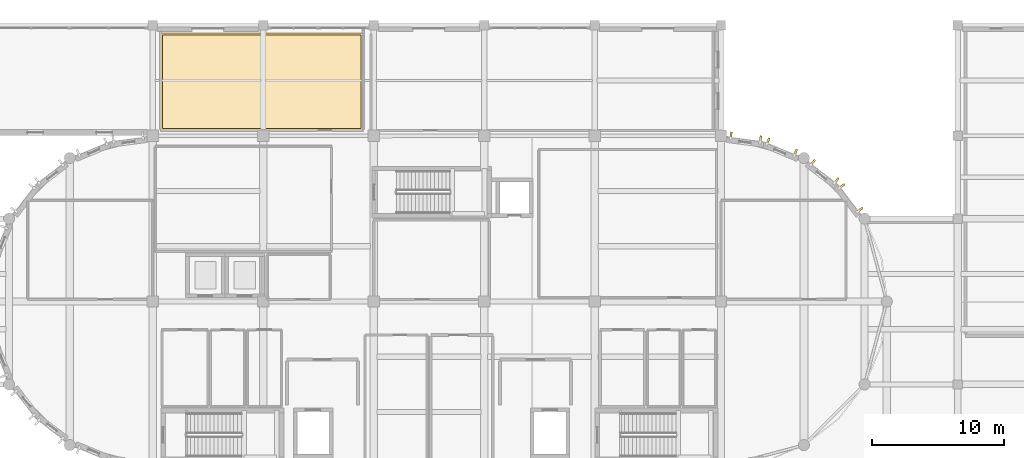
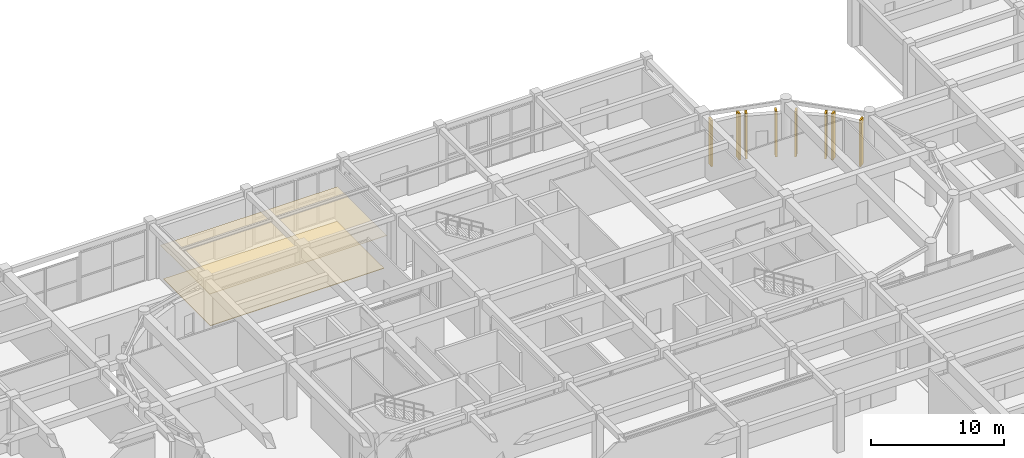
# One storey, part 94 of 98: 10 coverings.
"""IFC4 building model written with IfcOpenShell, lengths in metres."""

import ifcopenshell
import ifcopenshell.guid

model = None  # the IFC model being written
_history = None  # IfcOwnerHistory: only IFC2X3 demands one
_inside = {}  # id of a spatial element -> (the spatial element, [elements in it])
_under = {}  # id of a project, library or spatial element -> (it, [spatial elements below it])
_declared = {}  # id of a project -> (the project, [libraries it declares])
_typed = {}  # id of a type object -> (the type object, [elements of that type])
_made_of = {}  # id of a material, layer set ... -> (it, [elements and type objects made of it])


def new_model(schema):
    """Start an empty IFC model of exactly this schema.

    Asked for "IFC4X3", IfcOpenShell would pick the latest addendum, in which some entities
    have other attributes; the version numbers below select the first issue.
    IFC2X3 requires an IfcOwnerHistory on every rooted entity: one is made here for all.
    """
    global model, _history
    if schema == "IFC4X3":
        model = ifcopenshell.file(schema_version=(4, 3, 0, 0))
    else:
        model = ifcopenshell.file(schema=schema)
    _inside.clear()
    _under.clear()
    _declared.clear()
    _typed.clear()
    _made_of.clear()
    _history = None
    if model.schema == "IFC2X3":
        org = make("IfcOrganization", Name="unknown")
        user = make(
            "IfcPersonAndOrganization",
            ThePerson=make("IfcPerson", FamilyName="unknown"),
            TheOrganization=org,
        )
        app = make(
            "IfcApplication",
            ApplicationDeveloper=org,
            Version="unknown",
            ApplicationFullName="unknown",
            ApplicationIdentifier="unknown",
        )
        _history = make(
            "IfcOwnerHistory",
            OwningUser=user,
            OwningApplication=app,
            ChangeAction="ADDED",
            CreationDate=0,
        )
    return model


def make(cls, **values):
    """One entity of the class cls with the attributes given. An attribute that is None is left unset."""
    return model.create_entity(
        cls, **{name: value for name, value in values.items() if value is not None}
    )


def rooted(cls, **values):
    """An entity with a GlobalId (a new one), such as an element, a storey or a relation."""
    return make(cls, GlobalId=ifcopenshell.guid.new(), OwnerHistory=_history, **values)


def si_unit(unit_type, name, prefix=None):
    """IfcSIUnit, for example si_unit("LENGTHUNIT", "METRE", prefix="MILLI")."""
    return make("IfcSIUnit", UnitType=unit_type, Prefix=prefix, Name=name)


def assignment(units):
    """IfcUnitAssignment: the units of a project."""
    return None if units is None else make("IfcUnitAssignment", Units=units)


def point(xyz):
    """IfcCartesianPoint."""
    return None if xyz is None else make("IfcCartesianPoint", Coordinates=xyz)


def direction(xyz):
    """IfcDirection."""
    return None if xyz is None else make("IfcDirection", DirectionRatios=xyz)


def frame(location, z_axis=None, x_axis=None):
    """IfcAxis2Placement3D, a coordinate frame: its origin and axes. An axis left out is left unset."""
    return make(
        "IfcAxis2Placement3D",
        Location=point(location),
        Axis=direction(z_axis),
        RefDirection=direction(x_axis),
    )


def frame_2d(location, x_axis=None):
    """IfcAxis2Placement2D, a coordinate frame in the plane: its origin and x axis."""
    return make(
        "IfcAxis2Placement2D", Location=point(location), RefDirection=direction(x_axis)
    )


def origin():
    """The frame at (0, 0, 0) with its axes left unset."""
    return frame((0.0, 0.0, 0.0))


def origin_2d():
    """The frame at (0, 0) in the plane with its x axis left unset."""
    return frame_2d((0.0, 0.0))


def place(relative_to, where):
    """IfcLocalPlacement: puts the frame where relative to a parent placement (None: the world)."""
    return make(
        "IfcLocalPlacement", PlacementRelTo=relative_to, RelativePlacement=where
    )


def context(
    kind, dimensions, precision=None, world=None, true_north=None, identifier=None
):
    """IfcGeometricRepresentationContext, for example the 3D "Model" context."""
    return make(
        "IfcGeometricRepresentationContext",
        ContextIdentifier=identifier,
        ContextType=kind,
        CoordinateSpaceDimension=dimensions,
        Precision=precision,
        WorldCoordinateSystem=world,
        TrueNorth=true_north,
    )


def subcontext(parent, identifier, kind, view, scale=None):
    """IfcGeometricRepresentationSubContext, for example "Body" below "Model"."""
    return make(
        "IfcGeometricRepresentationSubContext",
        ContextIdentifier=identifier,
        ContextType=kind,
        ParentContext=parent,
        TargetScale=scale,
        TargetView=view,
    )


def project(units=None, contexts=None):
    """IfcProject with its units and contexts."""
    return rooted(
        "IfcProject",
        Name="project",
        RepresentationContexts=contexts,
        UnitsInContext=assignment(units),
    )


def spatial(cls, under=None, at=None, **own):
    """A site, building, storey or space (cls), placed at a placement, below another one or the project."""
    s = rooted(cls, ObjectPlacement=at, **own)
    if under is not None:
        _under.setdefault(under.id(), (under, []))[1].append(s)
    return s


def polyline(points):
    """IfcPolyline through the points."""
    return make("IfcPolyline", Points=[point(p) for p in points])


def profile(cls, at=None, kind="AREA", **sizes):
    """A parametric profile (cls). Its sizes go by their IFC names, for example OverallWidth=200.0."""
    return make(cls, ProfileType=kind, Position=at, **sizes)


def rectangle(**sizes):
    """IfcRectangleProfileDef."""
    return profile("IfcRectangleProfileDef", **sizes)


def outline(outer, holes=None, kind="AREA"):
    """IfcArbitraryClosedProfileDef: a profile drawn as a closed curve; with holes, ...WithVoids."""
    if holes is None:
        return make("IfcArbitraryClosedProfileDef", ProfileType=kind, OuterCurve=outer)
    return make(
        "IfcArbitraryProfileDefWithVoids",
        ProfileType=kind,
        OuterCurve=outer,
        InnerCurves=holes,
    )


def extrude(swept, where, along, depth):
    """IfcExtrudedAreaSolid: the profile swept, set in the frame where, extruded along a direction by depth."""
    return make(
        "IfcExtrudedAreaSolid",
        SweptArea=swept,
        Position=where,
        ExtrudedDirection=direction(along),
        Depth=depth,
    )


def shape(context_of_items, identifier, shape_type, items):
    """IfcShapeRepresentation: the items that make up one representation, for example the "Body"."""
    return make(
        "IfcShapeRepresentation",
        ContextOfItems=context_of_items,
        RepresentationIdentifier=identifier,
        RepresentationType=shape_type,
        Items=items,
    )


def material(Name=None, Category=None):
    """IfcMaterial."""
    return make("IfcMaterial", Name=Name, Category=Category)


def layer(
    of_material, thickness, ventilated=None, Name=None, Category=None, Priority=None
):
    """IfcMaterialLayer: one layer of a wall or slab, of a material (None: an air gap)."""
    return make(
        "IfcMaterialLayer",
        Material=of_material,
        LayerThickness=thickness,
        IsVentilated=ventilated,
        Name=Name,
        Category=Category,
        Priority=Priority,
    )


def layer_set(layers, Name=None):
    """IfcMaterialLayerSet."""
    return make("IfcMaterialLayerSet", MaterialLayers=layers, LayerSetName=Name)


def made_of(thing, what):
    """Note that an element or type object is made of a material, layer set ...; save() writes the relation."""
    if what is not None:
        _made_of.setdefault(what.id(), (what, []))[1].append(thing)
    return thing


def type_object(cls, material=None, **own):
    """A type object (cls), such as IfcWallType, which elements share."""
    return made_of(rooted(cls, **own), material)


def element(
    cls,
    number,
    at=None,
    inside=None,
    cuts=None,
    type_object=None,
    material=None,
    context=None,
    identifier="Body",
    shape_type=None,
    held_by="IfcProductDefinitionShape",
    body=None,
    shapes=None,
    **own,
):
    """One element of the class cls, such as IfcWall. Its Tag is "e" and its number.

    at: its placement. inside: the storey or other place that contains it. cuts: it is an
    opening in that element (IfcRelVoidsElement). A single representation is given by context,
    identifier, shape_type and body (its items); several are given by shapes. held_by: the class
    of the entity that holds the representations. save() writes the other relations.
    """
    e = rooted(cls, Tag="e%d" % number, ObjectPlacement=at, **own)
    if body is not None:
        shapes = [shape(context, identifier, shape_type, body)]
    if shapes is not None:
        e.Representation = make(held_by, Representations=shapes)
    if inside is not None:
        _inside.setdefault(inside.id(), (inside, []))[1].append(e)
    if cuts is not None:
        rooted(
            "IfcRelVoidsElement", RelatingBuildingElement=cuts, RelatedOpeningElement=e
        )
    if type_object is not None:
        _typed.setdefault(type_object.id(), (type_object, []))[1].append(e)
    return made_of(e, material)


def aggregate(whole, parts):
    """IfcRelAggregates: a whole, such as a stair, and the parts it consists of."""
    return rooted("IfcRelAggregates", RelatingObject=whole, RelatedObjects=parts)


def save(model, path):
    """Write the relations noted so far, then the file.

    IfcRelAggregates (storeys below a building ...), IfcRelContainedInSpatialStructure (elements
    in a storey), IfcRelDefinesByType, IfcRelAssociatesMaterial and IfcRelDeclares: one each for
    every whole, place, type object, material and project.
    """
    for whole, parts in _under.values():
        aggregate(whole, parts)
    for where, things in _inside.values():
        rooted(
            "IfcRelContainedInSpatialStructure",
            RelatedElements=things,
            RelatingStructure=where,
        )
    for kind, things in _typed.values():
        rooted("IfcRelDefinesByType", RelatedObjects=things, RelatingType=kind)
    for what, things in _made_of.values():
        rooted("IfcRelAssociatesMaterial", RelatedObjects=things, RelatingMaterial=what)
    for by, libraries in _declared.values():
        rooted("IfcRelDeclares", RelatingContext=by, RelatedDefinitions=libraries)
    model.write(path)


model = new_model("IFC4")

# Units and contexts
model_context = context("Model", 3, precision=1e-05, world=origin(), true_north=direction((0.0, 1.0)))
body_context = subcontext(model_context, "Body", "Model", "MODEL_VIEW")
ifc_project = project(units=[si_unit("LENGTHUNIT", "METRE"), si_unit("AREAUNIT", "SQUARE_METRE"), si_unit("VOLUMEUNIT", "CUBIC_METRE"), si_unit("PLANEANGLEUNIT", "RADIAN"), si_unit("MASSUNIT", "GRAM", prefix="KILO")], contexts=[model_context])

# Site, building, storey
site_placement = place(None, origin())
site = spatial("IfcSite", under=ifc_project, at=site_placement, CompositionType="ELEMENT")
building_placement = place(site_placement, origin())
building = spatial("IfcBuilding", under=site, at=building_placement, Name="Tarnavel Promenade Courthouse", CompositionType="ELEMENT")
storey_placement = place(building_placement, origin())
storey = spatial("IfcBuildingStorey", under=building, at=storey_placement, Name="L01", CompositionType="ELEMENT", Elevation=0.0)

# Coverings
ifc_material_1 = material(Name="Flamed Subarctic Granite Vestibule & Plinth Flooring", Category="masonry")
ifc_layer_1 = layer(ifc_material_1, 0.050048828125)
ifc_layer_set_1 = layer_set([ifc_layer_1], Name="Flamed Subarctic Granite Vestibule & Plinth Flooring")
covering_type_1 = type_object("IfcCoveringType", Name="Flamed Subarctic Granite Vestibule & Plinth Flooring (COV-FLR-GRN-50)", PredefinedType="FLOORING", material=ifc_layer_set_1)
covering_1_placement = place(storey_placement, origin())
element("IfcCovering", 1, at=covering_1_placement, inside=storey, type_object=covering_type_1, Name="L01 North Civic Avenue Entrance Vestibule Architectural Flooring 0005", PredefinedType="FLOORING", context=body_context, shape_type="SweptSolid", body=[
    extrude(outline(polyline([(59.550048828125, 104.949951171875), (74.64990234375, 104.949951171875), (74.64990234375, 112.050048828125), (59.550048828125, 112.050048828125), (59.550048828125, 104.949951171875)])), origin(), (0.0, 0.0, 1.0), 0.050048828125),
])
ifc_material_2 = material(Name="Micro-Perforated Acoustic Mineral-Fibre Ceiling")
ifc_layer_2 = layer(ifc_material_2, 0.044921875)
ifc_layer_set_2 = layer_set([ifc_layer_2], Name="Micro-Perforated Acoustic Mineral-Fibre Ceiling")
covering_type_2 = type_object("IfcCoveringType", Name="Micro-Perforated Acoustic Mineral-Fibre Ceiling (COV-CLG-MIN-45)", PredefinedType="CEILING", material=ifc_layer_set_2)
covering_2_placement = place(storey_placement, frame((0.0, 0.0, 3.054931640625)))
element("IfcCovering", 2, at=covering_2_placement, inside=storey, type_object=covering_type_2, Name="L01 North Civic Avenue Entrance Vestibule Acoustic Ceiling 0005", PredefinedType="CEILING", context=body_context, shape_type="SweptSolid", body=[
    extrude(outline(polyline([(59.39990234375, 104.800048828125), (74.800048828125, 104.800048828125), (74.800048828125, 112.199951171875), (59.39990234375, 112.199951171875), (59.39990234375, 104.800048828125)])), origin(), (0.0, 0.0, 1.0), 0.045166015625),
])
ifc_material_3 = material(Name="Patinated Copper-Bronze Fluted Pier Cladding")
ifc_layer_3 = layer(ifc_material_3, 0.52001953125)
ifc_layer_set_3 = layer_set([ifc_layer_3], Name="Patinated Copper-Bronze Fluted Pier Cladding")
covering_type_3 = type_object("IfcCoveringType", Name="Patinated Copper-Bronze Fluted Pier Cladding COV-PIER-520 (520 mm)", PredefinedType="CLADDING", material=ifc_layer_set_3)
for number, where, z_axis, x_axis, name in (
    (3, (112.569580078125, 98.7763671875, 0.0), (0.0, 0.0, 1.0), (-0.608761429009, 0.793353340291, 0.0), "L01 E Drum Fluted Copper Pier 0023"),
    (4, (111.191162109375, 100.572509765625, 0.0), (0.0, 0.0, 1.0), (-0.608761429009, 0.793353340291, 0.0), "L01 E Drum Fluted Copper Pier 0024"),
):
    element("IfcCovering", number, at=place(storey_placement, frame(where, z_axis=z_axis, x_axis=x_axis)), inside=storey, type_object=covering_type_3, Name=name, PredefinedType="CLADDING", context=body_context, shape_type="SweptSolid", body=[
        extrude(rectangle(XDim=0.159912109375, YDim=0.52001953125, at=origin_2d()), origin(), (0.0, 0.0, 1.0), 4.27001953125),
    ])
for number, where, z_axis, x_axis, name in (
    (5, (110.772705078125, 100.9912109375, 0.0), (0.0, 0.0, 1.0), (-0.793353340291, 0.608761429009, 0.0), "L01 E Drum Fluted Copper Pier 0025"),
    (6, (108.976318359375, 102.369384765625, 0.0), (0.0, 0.0, 1.0), (-0.793353340291, 0.608761429009, 0.0), "L01 E Drum Fluted Copper Pier 0026"),
    (7, (107.665283203125, 103.12646484375, 0.0), (0.0, 0.0, 1.0), (-0.923879532511, 0.382683432365, 0.0), "L01 E Drum Fluted Copper Pier 0027"),
    (8, (105.573486328125, 103.992919921875, 0.0), (0.0, 0.0, 1.0), (-0.923879532511, 0.382683432365, 0.0), "L01 E Drum Fluted Copper Pier 0028"),
):
    element("IfcCovering", number, at=place(storey_placement, frame(where, z_axis=z_axis, x_axis=x_axis)), inside=storey, type_object=covering_type_3, Name=name, PredefinedType="CLADDING", context=body_context, shape_type="SweptSolid", body=[
        extrude(rectangle(XDim=0.159912109375, YDim=0.52001953125, at=origin_2d()), origin(), (0.0, 0.0, 1.0), 4.169921875),
    ])
for number, where, z_axis, x_axis, name in (
    (9, (105.001708984375, 104.14599609375, 0.0), (0.0, 0.0, 1.0), (-0.991444861374, 0.13052619222, 0.0), "L01 E Drum Fluted Copper Pier 0029"),
    (10, (102.7568359375, 104.441650390625, 0.0), (0.0, 0.0, 1.0), (-0.991444861374, 0.13052619222, 0.0), "L01 E Drum Fluted Copper Pier 0030"),
):
    element("IfcCovering", number, at=place(storey_placement, frame(where, z_axis=z_axis, x_axis=x_axis)), inside=storey, type_object=covering_type_3, Name=name, PredefinedType="CLADDING", context=body_context, shape_type="SweptSolid", body=[
        extrude(rectangle(XDim=0.159912109375, YDim=0.52001953125, at=origin_2d()), origin(), (0.0, 0.0, 1.0), 4.27001953125),
    ])

save(model, "model.ifc")
